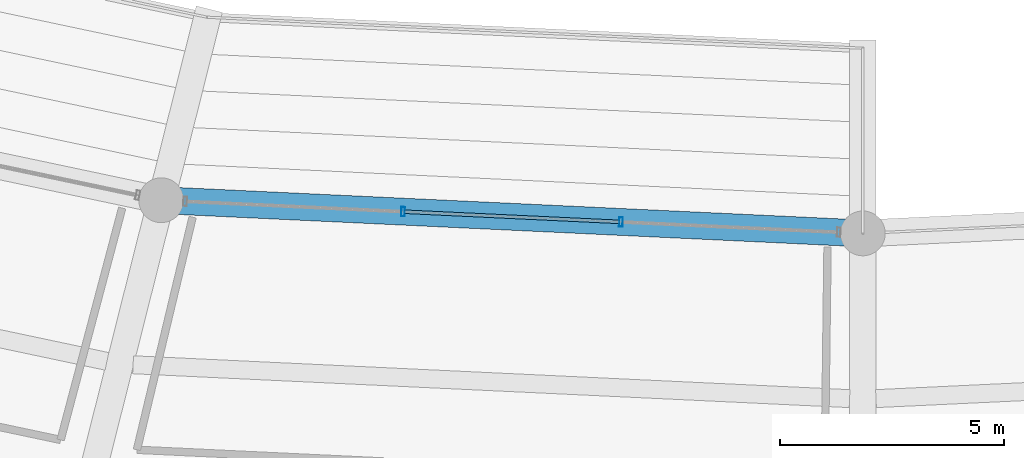
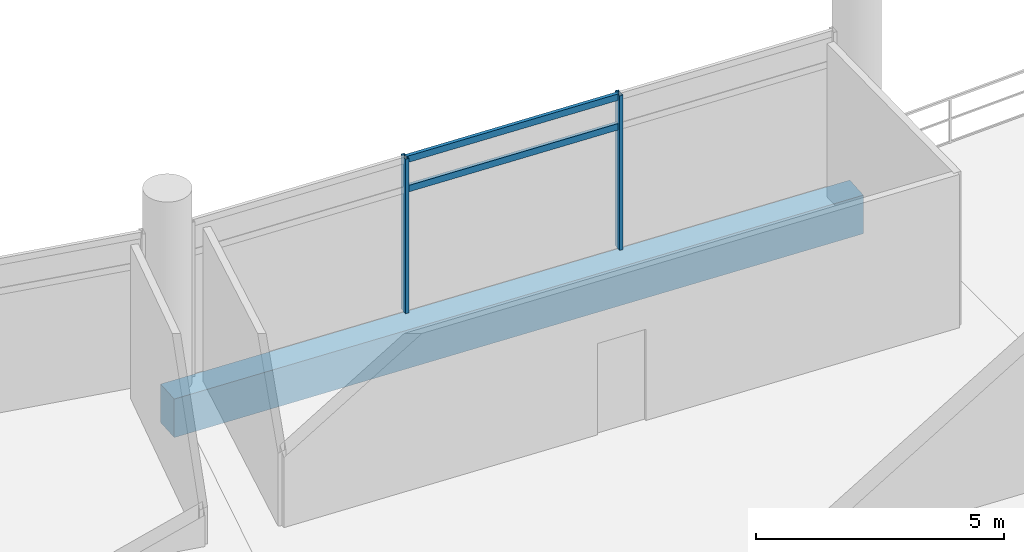
# One storey, part 25 of 171: 4 members, 1 beam, 1 element without a shape of its own.
"""IFC4 building model written with IfcOpenShell, lengths in metres."""

from ifc_helpers import new_model, si_unit, direction, frame, origin, origin_2d, place, context, subcontext, project, spatial, rectangle, hollow_rectangle, extrude, material, layer, layer_set, material_profile, profile_set, type_object, element, aggregate, save


model = new_model("IFC4")

# Units and contexts
model_context = context("Model", 3, precision=1e-05, world=origin(), true_north=direction((0.0, 1.0)))
body_context = subcontext(model_context, "Body", "Model", "MODEL_VIEW")
ifc_project = project(units=[si_unit("LENGTHUNIT", "METRE"), si_unit("AREAUNIT", "SQUARE_METRE"), si_unit("VOLUMEUNIT", "CUBIC_METRE"), si_unit("PLANEANGLEUNIT", "RADIAN"), si_unit("MASSUNIT", "GRAM", prefix="KILO")], contexts=[model_context])

# Site, building, storey
site_placement = place(None, origin())
site = spatial("IfcSite", under=ifc_project, at=site_placement, CompositionType="ELEMENT")
building_placement = place(site_placement, origin())
building = spatial("IfcBuilding", under=site, at=building_placement, Name="Kazemori Nagisa Stadium", CompositionType="ELEMENT")
storey_placement = place(building_placement, frame((0.0, 0.0, 15.639892578125)))
storey = spatial("IfcBuildingStorey", under=building, at=storey_placement, Name="L03", CompositionType="ELEMENT", Elevation=15.639892578125)

# Beam
ifc_material_1 = material(Name="Concrete C40/50 (Fc42)", Category="concrete")
ifc_material_profile_1 = material_profile(ifc_material_1, rectangle(XDim=0.60009765625, YDim=0.949951171875, at=origin_2d()), Name="RC-BM-600x950")
ifc_profile_set_1 = profile_set([ifc_material_profile_1], Name="Concrete C40/50 (Fc42)")
beam_type = type_object("IfcBeamType", Name="Beam_BG-RC600X950", PredefinedType="BEAM", material=ifc_profile_set_1)
beam_placement = place(storey_placement, frame((107.35791015625, 39.959716796875, -0.73486328125), z_axis=(0.998883604512, -0.047239227746, 0.0), x_axis=(0.047239227746, 0.998883604512, 0.0)))
element("IfcBeam", 1, at=beam_placement, inside=storey, type_object=beam_type, Name="Ring girder BG-RC600X950 L03 R1-21", PredefinedType="BEAM", context=body_context, shape_type="SweptSolid", body=[
    extrude(rectangle(XDim=0.60009765625, YDim=0.949951171875, at=origin_2d()), origin(), (0.0, 0.0, 1.0), 15.65966796875),
])

# Curtain wall, members
ifc_material_2 = material(Name="Anodised aluminium 6063-T5", Category="aluminium")
ifc_layer = layer(ifc_material_2, 0.2099609375, Name="Anodised aluminium 6063-T5", Category="aluminium")
ifc_layer_set = layer_set([ifc_layer], Name="Anodised aluminium 6063-T5")
curtain_wall_type = type_object("IfcCurtainWallType", Name="CW_L03B_73", PredefinedType="USERDEFINED", material=ifc_layer_set)
curtain_wall_placement = place(storey_placement, origin())
curtain_wall = element("IfcCurtainWall", 2, at=curtain_wall_placement, inside=storey, type_object=curtain_wall_type, Name="Unitised curtain wall CW-L03B-73 L03", ObjectType="UNITISED CURTAIN WALL", PredefinedType="USERDEFINED")
ifc_material_3 = material(Name="Aluminium 6063-T5 anodised", Category="aluminium")
ifc_material_profile_2 = material_profile(ifc_material_3, hollow_rectangle(XDim=0.080078125, YDim=0.2099609375, WallThickness=0.0048828125, at=origin_2d()), Name="ALU-MULL-80x210x5")
ifc_profile_set_2 = profile_set([ifc_material_profile_2], Name="Aluminium 6063-T5 anodised")
member_type_1 = type_object("IfcMemberType", Name="Mullion_M02", PredefinedType="MULLION", material=ifc_profile_set_2)
member_1_placement = place(storey_placement, frame((112.75, 39.70458984375, 0.0), z_axis=(0.0, 0.0, 1.0), x_axis=(0.998884022476, -0.047230388971, 0.0)))
member_1 = element("IfcMember", 3, at=member_1_placement, type_object=member_type_1, Name="Curtain wall mullion CW-L03B-73-M2", PredefinedType="MULLION", context=body_context, shape_type="SweptSolid", body=[
    extrude(hollow_rectangle(XDim=0.080078125, YDim=0.2099609375, WallThickness=0.0048828125, at=origin_2d()), origin(), (0.0, 0.0, 1.0), 3.81005859375),
])
member_2_placement = place(storey_placement, frame((117.60791015625, 39.474853515625, 0.0), z_axis=(0.0, 0.0, 1.0), x_axis=(0.998884022476, -0.047230388971, 0.0)))
member_2 = element("IfcMember", 4, at=member_2_placement, type_object=member_type_1, Name="Curtain wall mullion CW-L03B-73-M3", PredefinedType="MULLION", context=body_context, shape_type="SweptSolid", body=[
    extrude(hollow_rectangle(XDim=0.080078125, YDim=0.2099609375, WallThickness=0.0048828125, at=origin_2d()), origin(), (0.0, 0.0, 1.0), 3.81005859375),
])
ifc_material_profile_3 = material_profile(ifc_material_3, hollow_rectangle(XDim=0.080078125, YDim=0.159912109375, WallThickness=0.00390625, at=origin_2d()), Name="ALU-TRAN-80x160x4")
ifc_profile_set_3 = profile_set([ifc_material_profile_3], Name="Aluminium 6063-T5 anodised")
member_type_2 = type_object("IfcMemberType", Name="Transom_T02", PredefinedType="USERDEFINED", material=ifc_profile_set_3)
member_3_placement = place(storey_placement, frame((112.77001953125, 39.70361328125, 3.010009765625), z_axis=(0.998884227355, -0.047226055748, 0.0), x_axis=(0.047226055748, 0.998884227355, 0.0)))
member_3 = element("IfcMember", 5, at=member_3_placement, type_object=member_type_2, Name="Curtain wall transom CW-L03B-73-T2-mid", ObjectType="TRANSOM", PredefinedType="USERDEFINED", context=body_context, shape_type="SweptSolid", body=[
    extrude(hollow_rectangle(XDim=0.080078125, YDim=0.159912109375, WallThickness=0.00390625, at=origin_2d()), origin(), (0.0, 0.0, 1.0), 4.8232421875),
])
member_4_placement = place(storey_placement, frame((112.77001953125, 39.70361328125, 3.739990234375), z_axis=(0.998884227355, -0.047226055748, 0.0), x_axis=(0.047226055748, 0.998884227355, 0.0)))
member_4 = element("IfcMember", 6, at=member_4_placement, type_object=member_type_2, Name="Curtain wall transom CW-L03B-73-T2-head", ObjectType="TRANSOM", PredefinedType="USERDEFINED", context=body_context, shape_type="SweptSolid", body=[
    extrude(hollow_rectangle(XDim=0.080078125, YDim=0.159912109375, WallThickness=0.00390625, at=origin_2d()), origin(), (0.0, 0.0, 1.0), 4.8232421875),
])
aggregate(curtain_wall, [member_1, member_2, member_3, member_4])

save(model, "model.ifc")
